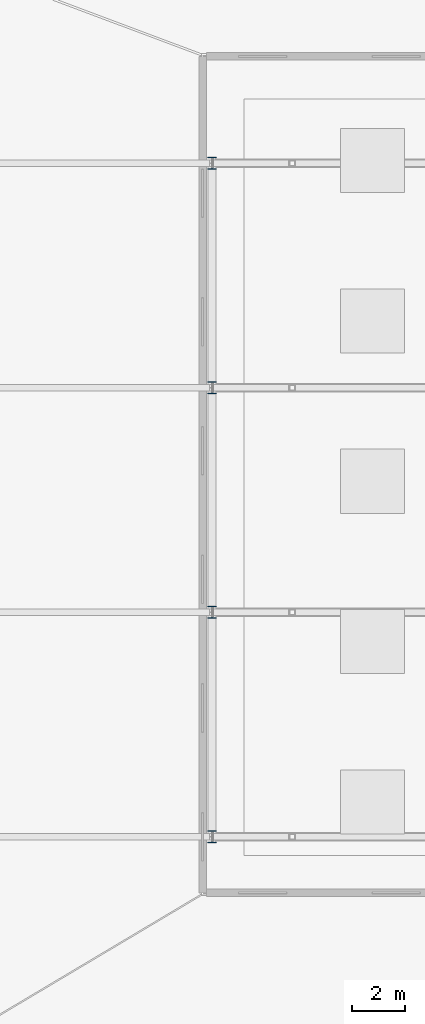
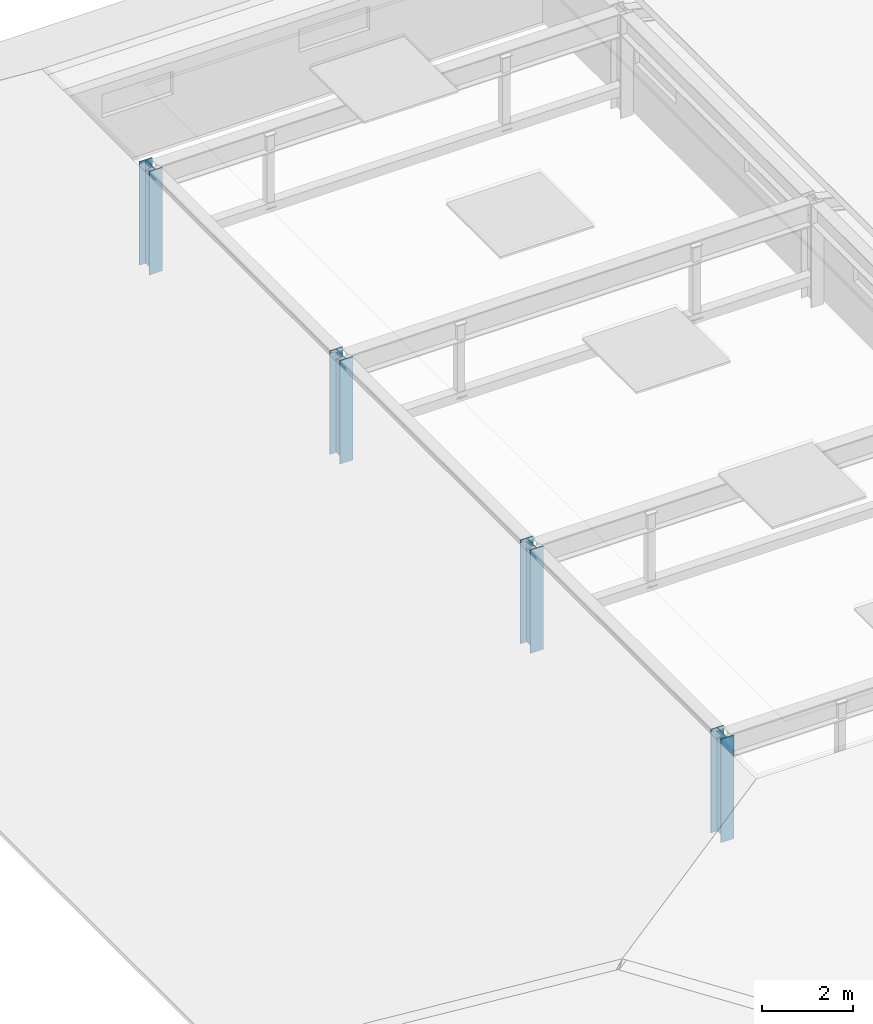
# One storey, part 6 of 91: 4 columns.
"""IFC4 building model written with IfcOpenShell, lengths in metres."""

from ifc_helpers import new_model, si_unit, direction, frame, origin, origin_2d, place, context, subcontext, project, spatial, i_section, extrude, material, material_profile, profile_set, type_object, element, save


model = new_model("IFC4")

# Units and contexts
model_context = context("Model", 3, precision=1e-05, world=origin(), true_north=direction((0.0, 1.0)))
body_context = subcontext(model_context, "Body", "Model", "MODEL_VIEW")
ifc_project = project(units=[si_unit("LENGTHUNIT", "METRE"), si_unit("AREAUNIT", "SQUARE_METRE"), si_unit("VOLUMEUNIT", "CUBIC_METRE"), si_unit("PLANEANGLEUNIT", "RADIAN"), si_unit("MASSUNIT", "GRAM", prefix="KILO")], contexts=[model_context])

# Site, building, storey
site_placement = place(None, origin())
site = spatial("IfcSite", under=ifc_project, at=site_placement, CompositionType="ELEMENT")
building_placement = place(site_placement, origin())
building = spatial("IfcBuilding", under=site, at=building_placement, Name="Sollismere Congress Hotel", CompositionType="ELEMENT")
storey_placement = place(building_placement, frame((0.0, 0.0, 10.800048828125)))
storey = spatial("IfcBuildingStorey", under=building, at=storey_placement, Name="L02", CompositionType="ELEMENT", Elevation=10.800048828125)

# Columns
ifc_material = material(Name="Steel ASTM A992 Grade 50", Category="steel")
ifc_material_profile = material_profile(ifc_material, i_section(OverallWidth=0.330078125, OverallDepth=0.4599609375, WebThickness=0.016357421875, FlangeThickness=0.026123046875, at=origin_2d()), Name="W14X132")
ifc_profile_set = profile_set([ifc_material_profile], Name="Steel ASTM A992 Grade 50")
column_type = type_object("IfcColumnType", Name="COL-W14H", PredefinedType="COLUMN", material=ifc_profile_set)
for number, where, z_axis, x_axis, name in (
    (1, (124.0, 33.199951171875, 0.0), (0.0, 0.0, 1.0), (1.0, 0.0, 0.0), "Column CL-L02-691"),
    (2, (124.0, 41.60009765625, 0.0), (0.0, 0.0, 1.0), (1.0, 0.0, 0.0), "Column CL-L02-695"),
    (3, (124.0, 50.0, 0.0), (0.0, 0.0, 1.0), (1.0, 0.0, 0.0), "Column CL-L02-699"),
    (4, (124.0, 58.39990234375, 0.0), (0.0, 0.0, 1.0), (1.0, 0.0, 0.0), "Column CL-L02-703"),
):
    element("IfcColumn", number, at=place(storey_placement, frame(where, z_axis=z_axis, x_axis=x_axis)), inside=storey, type_object=column_type, Name=name, PredefinedType="COLUMN", context=body_context, shape_type="SweptSolid", body=[
        extrude(i_section(OverallWidth=0.330078125, OverallDepth=0.4599609375, WebThickness=0.016357421875, FlangeThickness=0.026123046875, at=origin_2d()), origin(), (0.0, 0.0, 1.0), 2.780029296875),
    ])

save(model, "model.ifc")
